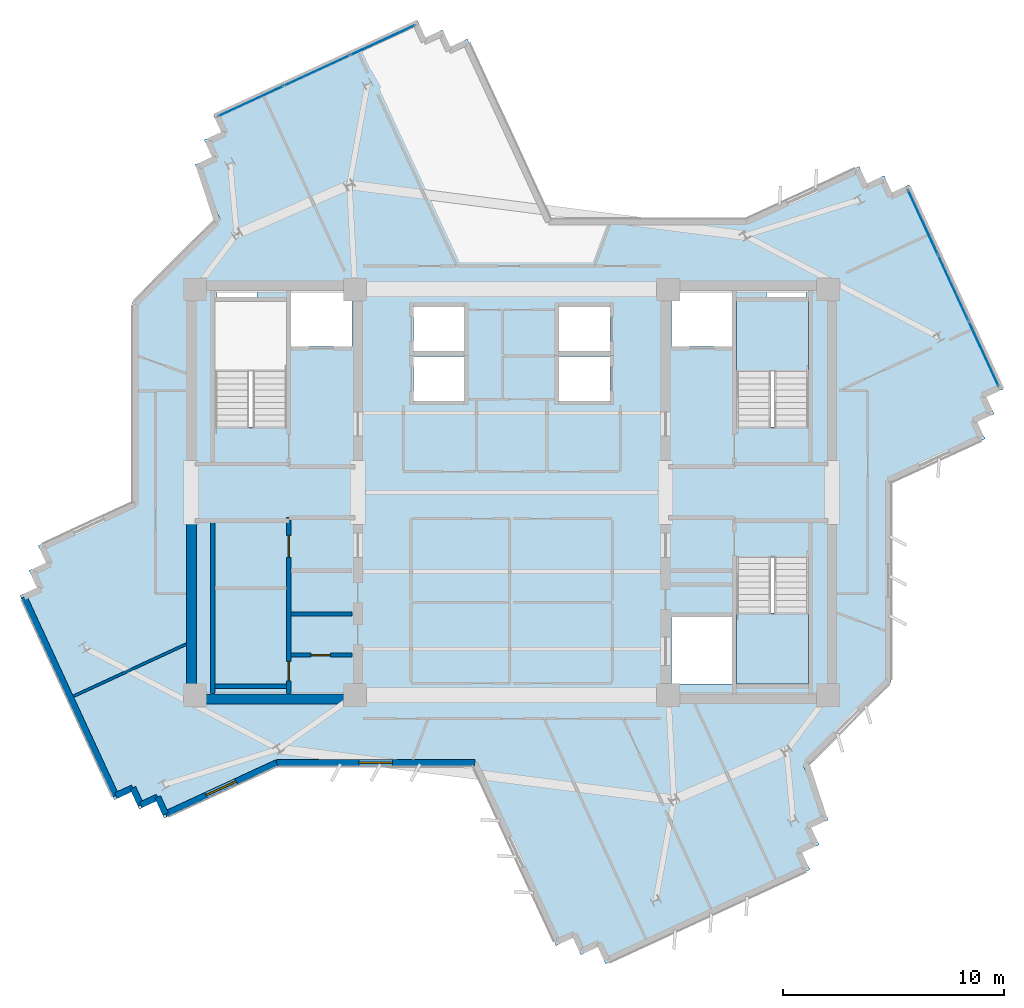
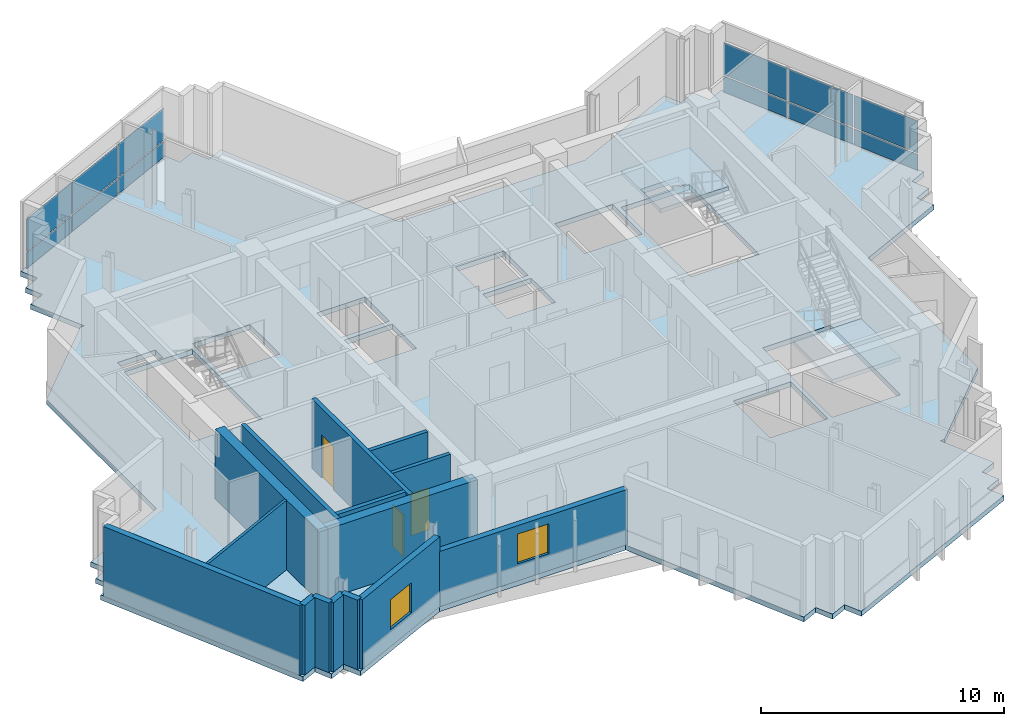
# One storey, part 4 of 12: 15 walls, 12 plates, 3 doors, 3 slabs, 2 windows, 5 openings, 4 elements without a shape of their own.
"""IFC4 building model written with IfcOpenShell, lengths in metres."""

import ifcopenshell
import ifcopenshell.guid

model = None  # the IFC model being written
_history = None  # IfcOwnerHistory: only IFC2X3 demands one
_inside = {}  # id of a spatial element -> (the spatial element, [elements in it])
_under = {}  # id of a project, library or spatial element -> (it, [spatial elements below it])
_declared = {}  # id of a project -> (the project, [libraries it declares])
_typed = {}  # id of a type object -> (the type object, [elements of that type])
_made_of = {}  # id of a material, layer set ... -> (it, [elements and type objects made of it])


def new_model(schema):
    """Start an empty IFC model of exactly this schema.

    Asked for "IFC4X3", IfcOpenShell would pick the latest addendum, in which some entities
    have other attributes; the version numbers below select the first issue.
    IFC2X3 requires an IfcOwnerHistory on every rooted entity: one is made here for all.
    """
    global model, _history
    if schema == "IFC4X3":
        model = ifcopenshell.file(schema_version=(4, 3, 0, 0))
    else:
        model = ifcopenshell.file(schema=schema)
    _inside.clear()
    _under.clear()
    _declared.clear()
    _typed.clear()
    _made_of.clear()
    _history = None
    if model.schema == "IFC2X3":
        org = make("IfcOrganization", Name="unknown")
        user = make(
            "IfcPersonAndOrganization",
            ThePerson=make("IfcPerson", FamilyName="unknown"),
            TheOrganization=org,
        )
        app = make(
            "IfcApplication",
            ApplicationDeveloper=org,
            Version="unknown",
            ApplicationFullName="unknown",
            ApplicationIdentifier="unknown",
        )
        _history = make(
            "IfcOwnerHistory",
            OwningUser=user,
            OwningApplication=app,
            ChangeAction="ADDED",
            CreationDate=0,
        )
    return model


def make(cls, **values):
    """One entity of the class cls with the attributes given. An attribute that is None is left unset."""
    return model.create_entity(
        cls, **{name: value for name, value in values.items() if value is not None}
    )


def rooted(cls, **values):
    """An entity with a GlobalId (a new one), such as an element, a storey or a relation."""
    return make(cls, GlobalId=ifcopenshell.guid.new(), OwnerHistory=_history, **values)


def si_unit(unit_type, name, prefix=None):
    """IfcSIUnit, for example si_unit("LENGTHUNIT", "METRE", prefix="MILLI")."""
    return make("IfcSIUnit", UnitType=unit_type, Prefix=prefix, Name=name)


def assignment(units):
    """IfcUnitAssignment: the units of a project."""
    return None if units is None else make("IfcUnitAssignment", Units=units)


def point(xyz):
    """IfcCartesianPoint."""
    return None if xyz is None else make("IfcCartesianPoint", Coordinates=xyz)


def direction(xyz):
    """IfcDirection."""
    return None if xyz is None else make("IfcDirection", DirectionRatios=xyz)


def frame(location, z_axis=None, x_axis=None):
    """IfcAxis2Placement3D, a coordinate frame: its origin and axes. An axis left out is left unset."""
    return make(
        "IfcAxis2Placement3D",
        Location=point(location),
        Axis=direction(z_axis),
        RefDirection=direction(x_axis),
    )


def frame_2d(location, x_axis=None):
    """IfcAxis2Placement2D, a coordinate frame in the plane: its origin and x axis."""
    return make(
        "IfcAxis2Placement2D", Location=point(location), RefDirection=direction(x_axis)
    )


def origin():
    """The frame at (0, 0, 0) with its axes left unset."""
    return frame((0.0, 0.0, 0.0))


def origin_2d():
    """The frame at (0, 0) in the plane with its x axis left unset."""
    return frame_2d((0.0, 0.0))


def place(relative_to, where):
    """IfcLocalPlacement: puts the frame where relative to a parent placement (None: the world)."""
    return make(
        "IfcLocalPlacement", PlacementRelTo=relative_to, RelativePlacement=where
    )


def context(
    kind, dimensions, precision=None, world=None, true_north=None, identifier=None
):
    """IfcGeometricRepresentationContext, for example the 3D "Model" context."""
    return make(
        "IfcGeometricRepresentationContext",
        ContextIdentifier=identifier,
        ContextType=kind,
        CoordinateSpaceDimension=dimensions,
        Precision=precision,
        WorldCoordinateSystem=world,
        TrueNorth=true_north,
    )


def subcontext(parent, identifier, kind, view, scale=None):
    """IfcGeometricRepresentationSubContext, for example "Body" below "Model"."""
    return make(
        "IfcGeometricRepresentationSubContext",
        ContextIdentifier=identifier,
        ContextType=kind,
        ParentContext=parent,
        TargetScale=scale,
        TargetView=view,
    )


def project(units=None, contexts=None):
    """IfcProject with its units and contexts."""
    return rooted(
        "IfcProject",
        Name="project",
        RepresentationContexts=contexts,
        UnitsInContext=assignment(units),
    )


def spatial(cls, under=None, at=None, **own):
    """A site, building, storey or space (cls), placed at a placement, below another one or the project."""
    s = rooted(cls, ObjectPlacement=at, **own)
    if under is not None:
        _under.setdefault(under.id(), (under, []))[1].append(s)
    return s


def polyline(points):
    """IfcPolyline through the points."""
    return make("IfcPolyline", Points=[point(p) for p in points])


def profile(cls, at=None, kind="AREA", **sizes):
    """A parametric profile (cls). Its sizes go by their IFC names, for example OverallWidth=200.0."""
    return make(cls, ProfileType=kind, Position=at, **sizes)


def rectangle(**sizes):
    """IfcRectangleProfileDef."""
    return profile("IfcRectangleProfileDef", **sizes)


def outline(outer, holes=None, kind="AREA"):
    """IfcArbitraryClosedProfileDef: a profile drawn as a closed curve; with holes, ...WithVoids."""
    if holes is None:
        return make("IfcArbitraryClosedProfileDef", ProfileType=kind, OuterCurve=outer)
    return make(
        "IfcArbitraryProfileDefWithVoids",
        ProfileType=kind,
        OuterCurve=outer,
        InnerCurves=holes,
    )


def extrude(swept, where, along, depth):
    """IfcExtrudedAreaSolid: the profile swept, set in the frame where, extruded along a direction by depth."""
    return make(
        "IfcExtrudedAreaSolid",
        SweptArea=swept,
        Position=where,
        ExtrudedDirection=direction(along),
        Depth=depth,
    )


def shape(context_of_items, identifier, shape_type, items):
    """IfcShapeRepresentation: the items that make up one representation, for example the "Body"."""
    return make(
        "IfcShapeRepresentation",
        ContextOfItems=context_of_items,
        RepresentationIdentifier=identifier,
        RepresentationType=shape_type,
        Items=items,
    )


def source(mapping_origin, context_of_items, identifier, shape_type, items):
    """IfcRepresentationMap: a shape defined once, which mapped items show again and again."""
    return make(
        "IfcRepresentationMap",
        MappingOrigin=mapping_origin,
        MappedRepresentation=shape(context_of_items, identifier, shape_type, items),
    )


def transform(
    local_origin,
    x_axis=None,
    y_axis=None,
    z_axis=None,
    scale=None,
    scale2=None,
    scale3=None,
    uniform=True,
):
    """IfcCartesianTransformationOperator3D, or its non-uniform kind. x_axis, y_axis, z_axis: its Axis1, 2, 3."""
    if uniform:
        return make(
            "IfcCartesianTransformationOperator3D",
            Axis1=direction(x_axis),
            Axis2=direction(y_axis),
            LocalOrigin=point(local_origin),
            Scale=scale,
            Axis3=direction(z_axis),
        )
    return make(
        "IfcCartesianTransformationOperator3DnonUniform",
        Axis1=direction(x_axis),
        Axis2=direction(y_axis),
        LocalOrigin=point(local_origin),
        Scale=scale,
        Axis3=direction(z_axis),
        Scale2=scale2,
        Scale3=scale3,
    )


def mapped(mapping_source, mapping_target):
    """IfcMappedItem: shows the shape of a source again, moved by a transform."""
    return make(
        "IfcMappedItem", MappingSource=mapping_source, MappingTarget=mapping_target
    )


def material(Name=None, Category=None):
    """IfcMaterial."""
    return make("IfcMaterial", Name=Name, Category=Category)


def layer(
    of_material, thickness, ventilated=None, Name=None, Category=None, Priority=None
):
    """IfcMaterialLayer: one layer of a wall or slab, of a material (None: an air gap)."""
    return make(
        "IfcMaterialLayer",
        Material=of_material,
        LayerThickness=thickness,
        IsVentilated=ventilated,
        Name=Name,
        Category=Category,
        Priority=Priority,
    )


def layer_set(layers, Name=None):
    """IfcMaterialLayerSet."""
    return make("IfcMaterialLayerSet", MaterialLayers=layers, LayerSetName=Name)


def made_of(thing, what):
    """Note that an element or type object is made of a material, layer set ...; save() writes the relation."""
    if what is not None:
        _made_of.setdefault(what.id(), (what, []))[1].append(thing)
    return thing


def type_object(cls, material=None, **own):
    """A type object (cls), such as IfcWallType, which elements share."""
    return made_of(rooted(cls, **own), material)


def element(
    cls,
    number,
    at=None,
    inside=None,
    cuts=None,
    type_object=None,
    material=None,
    context=None,
    identifier="Body",
    shape_type=None,
    held_by="IfcProductDefinitionShape",
    body=None,
    shapes=None,
    **own,
):
    """One element of the class cls, such as IfcWall. Its Tag is "e" and its number.

    at: its placement. inside: the storey or other place that contains it. cuts: it is an
    opening in that element (IfcRelVoidsElement). A single representation is given by context,
    identifier, shape_type and body (its items); several are given by shapes. held_by: the class
    of the entity that holds the representations. save() writes the other relations.
    """
    e = rooted(cls, Tag="e%d" % number, ObjectPlacement=at, **own)
    if body is not None:
        shapes = [shape(context, identifier, shape_type, body)]
    if shapes is not None:
        e.Representation = make(held_by, Representations=shapes)
    if inside is not None:
        _inside.setdefault(inside.id(), (inside, []))[1].append(e)
    if cuts is not None:
        rooted(
            "IfcRelVoidsElement", RelatingBuildingElement=cuts, RelatedOpeningElement=e
        )
    if type_object is not None:
        _typed.setdefault(type_object.id(), (type_object, []))[1].append(e)
    return made_of(e, material)


def fill(opening, filler):
    """IfcRelFillsElement: the door or window that sits in an opening."""
    return rooted(
        "IfcRelFillsElement",
        RelatingOpeningElement=opening,
        RelatedBuildingElement=filler,
    )


def aggregate(whole, parts):
    """IfcRelAggregates: a whole, such as a stair, and the parts it consists of."""
    return rooted("IfcRelAggregates", RelatingObject=whole, RelatedObjects=parts)


def save(model, path):
    """Write the relations noted so far, then the file.

    IfcRelAggregates (storeys below a building ...), IfcRelContainedInSpatialStructure (elements
    in a storey), IfcRelDefinesByType, IfcRelAssociatesMaterial and IfcRelDeclares: one each for
    every whole, place, type object, material and project.
    """
    for whole, parts in _under.values():
        aggregate(whole, parts)
    for where, things in _inside.values():
        rooted(
            "IfcRelContainedInSpatialStructure",
            RelatedElements=things,
            RelatingStructure=where,
        )
    for kind, things in _typed.values():
        rooted("IfcRelDefinesByType", RelatedObjects=things, RelatingType=kind)
    for what, things in _made_of.values():
        rooted("IfcRelAssociatesMaterial", RelatedObjects=things, RelatingMaterial=what)
    for by, libraries in _declared.values():
        rooted("IfcRelDeclares", RelatingContext=by, RelatedDefinitions=libraries)
    model.write(path)


model = new_model("IFC4")

# Units and contexts
model_context = context("Model", 3, precision=1e-05, world=origin(), true_north=direction((0.0, 1.0)))
body_context = subcontext(model_context, "Body", "Model", "MODEL_VIEW")
ifc_project = project(units=[si_unit("LENGTHUNIT", "METRE"), si_unit("AREAUNIT", "SQUARE_METRE"), si_unit("VOLUMEUNIT", "CUBIC_METRE"), si_unit("PLANEANGLEUNIT", "RADIAN"), si_unit("MASSUNIT", "GRAM", prefix="KILO")], contexts=[model_context])

# Site, building, storey
site_placement = place(None, origin())
site = spatial("IfcSite", under=ifc_project, at=site_placement, CompositionType="ELEMENT")
building_placement = place(site_placement, origin())
building = spatial("IfcBuilding", under=site, at=building_placement, Name="Zahravan Cultural Tower", CompositionType="ELEMENT")
storey_placement = place(building_placement, frame((0.0, 0.0, 246.60009765625)))
storey = spatial("IfcBuildingStorey", under=building, at=storey_placement, Name="L58", CompositionType="ELEMENT", Elevation=246.60009765625)

# Stair, slab
ifc_material_1 = material(Name="Concrete C45/55", Category="concrete")
stair_type = type_object("IfcStairType", Name="STR-DL-1550-375", PredefinedType="HALF_TURN_STAIR", material=ifc_material_1)
stair_1_placement = place(storey_placement, origin())
stair_1 = element("IfcStair", 1, at=stair_1_placement, inside=storey, type_object=stair_type, Name="L58 East Core North Exit Stair ST-E1", PredefinedType="HALF_TURN_STAIR")
ifc_layer_1 = layer(ifc_material_1, 0.199951171875)
ifc_layer_set_1 = layer_set([ifc_layer_1], Name="Concrete C45/55")
slab_type_1 = type_object("IfcSlabType", Name="SL-STAIR-LND200", PredefinedType="LANDING", material=ifc_layer_set_1)
slab_1_placement = place(storey_placement, frame((0.0, 0.0, 1.6748046875)))
slab_1 = element("IfcSlab", 2, at=slab_1_placement, type_object=slab_type_1, Name="ST-E1 landing 1", PredefinedType="LANDING", context=body_context, shape_type="SweptSolid", body=[
    extrude(outline(polyline([(49.449951171875, 32.469970703125), (49.449951171875, 35.699951171875), (46.199951171875, 35.699951171875), (46.199951171875, 32.469970703125), (49.449951171875, 32.469970703125)])), origin(), (0.0, 0.0, 1.0), 0.2001953125),
])
aggregate(stair_1, [slab_1])

stair_2_placement = place(storey_placement, origin())
stair_2 = element("IfcStair", 3, at=stair_2_placement, inside=storey, type_object=stair_type, Name="L58 East Core South Exit Stair ST-E2", PredefinedType="HALF_TURN_STAIR")
slab_2_placement = place(storey_placement, frame((0.0, 0.0, 1.6748046875)))
slab_2 = element("IfcSlab", 4, at=slab_2_placement, type_object=slab_type_1, Name="ST-E2 landing 1", PredefinedType="LANDING", context=body_context, shape_type="SweptSolid", body=[
    extrude(outline(polyline([(46.199951171875, 21.530029296875), (46.199951171875, 18.300048828125), (49.449951171875, 18.300048828125), (49.449951171875, 21.530029296875), (46.199951171875, 21.530029296875)])), origin(), (0.0, 0.0, 1.0), 0.2001953125),
])
aggregate(stair_2, [slab_2])

# Slab
ifc_material_2 = material(Name="Concrete C40/50", Category="concrete")
ifc_layer_2 = layer(ifc_material_2, 0.25)
ifc_layer_set_2 = layer_set([ifc_layer_2], Name="Concrete C40/50")
slab_type_2 = type_object("IfcSlabType", Name="SL-TYP-250", PredefinedType="FLOOR", material=ifc_layer_set_2)
slab_3_placement = place(storey_placement, frame((0.0, 0.0, -0.25)))
element("IfcSlab", 5, at=slab_3_placement, inside=storey, type_object=slab_type_2, Name="L58 Structural Floor Slab", PredefinedType="FLOOR", context=body_context, shape_type="SweptSolid", body=[
    extrude(outline(polyline([(46.62451171875, 39.39990234375), (37.76123046875, 39.39990234375), (33.99365234375, 47.553955078125), (33.221923828125, 47.197509765625), (32.865478515625, 47.968994140625), (32.09375, 47.612548828125), (31.7373046875, 48.384033203125), (22.47802734375, 44.105712890625), (22.83447265625, 43.333984375), (22.06298828125, 42.9775390625), (22.41943359375, 42.205810546875), (21.647705078125, 41.849365234375), (22.779541015625, 39.39990234375), (22.60009765625, 39.39990234375), (18.800048828125, 35.60009765625), (18.800048828125, 26.543212890625), (14.538330078125, 24.57421875), (14.894775390625, 23.802490234375), (14.123291015625, 23.446044921875), (14.479736328125, 22.67431640625), (13.7080078125, 22.31787109375), (17.986572265625, 13.05859375), (18.75830078125, 13.4150390625), (19.11474609375, 12.643310546875), (19.88623046875, 13.0), (20.242919921875, 12.228271484375), (25.37548828125, 14.60009765625), (34.23876953125, 14.60009765625), (38.00634765625, 6.446044921875), (38.778076171875, 6.802490234375), (39.134521484375, 6.031005859375), (39.90625, 6.387451171875), (40.2626953125, 5.615966796875), (49.52197265625, 9.894287109375), (49.16552734375, 10.666015625), (49.93701171875, 11.0224609375), (49.58056640625, 11.794189453125), (50.352294921875, 12.150634765625), (49.220458984375, 14.60009765625), (49.39990234375, 14.60009765625), (53.199951171875, 18.39990234375), (53.199951171875, 27.456787109375), (57.461669921875, 29.42578125), (57.105224609375, 30.197509765625), (57.876708984375, 30.553955078125), (57.520263671875, 31.32568359375), (58.2919921875, 31.68212890625), (54.013427734375, 40.94140625), (53.24169921875, 40.5849609375), (52.88525390625, 41.356689453125), (52.11376953125, 41.0), (51.757080078125, 41.771728515625), (46.62451171875, 39.39990234375)]), holes=[polyline([(22.550048828125, 29.949951171875), (22.550048828125, 35.699951171875), (25.800048828125, 35.699951171875), (25.800048828125, 29.949951171875), (22.550048828125, 29.949951171875)]), polyline([(46.199951171875, 29.949951171875), (46.199951171875, 35.699951171875), (49.449951171875, 35.699951171875), (49.449951171875, 29.949951171875), (46.199951171875, 29.949951171875)]), polyline([(46.199951171875, 18.300048828125), (46.199951171875, 24.050048828125), (49.449951171875, 24.050048828125), (49.449951171875, 18.300048828125), (46.199951171875, 18.300048828125)]), polyline([(26.0, 33.60009765625), (26.0, 36.050048828125), (28.75, 36.050048828125), (28.75, 33.60009765625), (26.0, 33.60009765625)]), polyline([(43.25, 33.60009765625), (43.25, 36.050048828125), (46.0, 36.050048828125), (46.0, 33.60009765625), (43.25, 33.60009765625)]), polyline([(43.25, 18.300048828125), (43.25, 21.35009765625), (46.0, 21.35009765625), (46.0, 18.300048828125), (43.25, 18.300048828125)]), polyline([(31.550048828125, 33.39990234375), (31.550048828125, 35.39990234375), (33.85009765625, 35.39990234375), (33.85009765625, 33.39990234375), (31.550048828125, 33.39990234375)]), polyline([(31.550048828125, 31.14990234375), (31.550048828125, 33.14990234375), (33.85009765625, 33.14990234375), (33.85009765625, 31.14990234375), (31.550048828125, 31.14990234375)]), polyline([(38.14990234375, 33.39990234375), (38.14990234375, 35.39990234375), (40.449951171875, 35.39990234375), (40.449951171875, 33.39990234375), (38.14990234375, 33.39990234375)]), polyline([(38.14990234375, 31.14990234375), (38.14990234375, 33.14990234375), (40.449951171875, 33.14990234375), (40.449951171875, 31.14990234375), (38.14990234375, 31.14990234375)]), polyline([(22.64990234375, 35.800048828125), (22.64990234375, 36.419921875), (24.449951171875, 36.419921875), (24.449951171875, 35.800048828125), (22.64990234375, 35.800048828125)]), polyline([(47.550048828125, 35.800048828125), (47.550048828125, 36.419921875), (49.35009765625, 36.419921875), (49.35009765625, 35.800048828125), (47.550048828125, 35.800048828125)])]), origin(), (0.0, 0.0, 1.0), 0.25),
])

# Curtain wall, plates
ifc_material_3 = material(Name="Anodised bronze-aluminium mullion", Category="aluminium")
ifc_layer_3 = layer(ifc_material_3, 0.179931640625)
ifc_layer_set_3 = layer_set([ifc_layer_3], Name="Anodised bronze-aluminium mullion")
curtain_wall_type_1 = type_object("IfcCurtainWallType", Name="CW-SYS-3", PredefinedType="USERDEFINED", material=ifc_layer_set_3)
curtain_wall_1_placement = place(storey_placement, origin())
curtain_wall_1 = element("IfcCurtainWall", 6, at=curtain_wall_1_placement, inside=storey, type_object=curtain_wall_type_1, Name="L58 Recessed Curtain Wall CW-3.1", ObjectType="RECESSED GLAZING", PredefinedType="USERDEFINED")
ifc_material_4 = material(Name="Low-E solar-control double glazing", Category="glass")
ifc_layer_4 = layer(ifc_material_4, 0.028076171875)
ifc_layer_set_4 = layer_set([ifc_layer_4], Name="Low-E solar-control double glazing")
plate_type_1 = type_object("IfcPlateType", Name="CWP-CW-3", PredefinedType="CURTAIN_PANEL", material=ifc_layer_set_4)
shared_shape_1 = source(origin(), body_context, "Body", "SweptSolid", [
    extrude(rectangle(XDim=3.20166015625, YDim=0.028076171875, at=origin_2d()), origin(), (0.0, 0.0, 1.0), 0.794921875),
])
plate_1_placement = place(storey_placement, frame((54.64599609375, 39.239013671875, 0.06982421875), z_axis=(0.0, 0.0, 1.0), x_axis=(0.419457036846, -0.907775189262, 0.0)))
plate_1 = element("IfcPlate", 7, at=plate_1_placement, type_object=plate_type_1, Name="CW-3 panel 1.1", PredefinedType="CURTAIN_PANEL", context=body_context, shape_type="MappedRepresentation", body=[
    mapped(shared_shape_1, transform((0.0, 0.0, 0.0), x_axis=(1.0, 0.0, 0.0), y_axis=(0.0, 1.0, 0.0), z_axis=(0.0, 0.0, 1.0), scale=1.0)),
])
plate_2_placement = place(storey_placement, frame((57.4052734375, 33.267333984375, 0.06982421875), z_axis=(0.0, 0.0, 1.0), x_axis=(0.419457036846, -0.907775189262, 0.0)))
plate_2 = element("IfcPlate", 8, at=plate_2_placement, type_object=plate_type_1, Name="CW-3 panel 3.1", PredefinedType="CURTAIN_PANEL", context=body_context, shape_type="MappedRepresentation", body=[
    mapped(shared_shape_1, transform((0.0, 0.0, 0.0), x_axis=(1.0, 0.0, 0.0), y_axis=(0.0, 1.0, 0.0), z_axis=(0.0, 0.0, 1.0), scale=1.0)),
])
shared_shape_2 = source(origin(), body_context, "Body", "SweptSolid", [
    extrude(rectangle(XDim=3.236572265625, YDim=0.028076171875, at=origin_2d()), origin(), (0.0, 0.0, 1.0), 0.794921875),
])
plate_3_placement = place(storey_placement, frame((56.025634765625, 36.253173828125, 0.06982421875), z_axis=(0.0, 0.0, 1.0), x_axis=(0.419457036846, -0.907775189262, 0.0)))
plate_3 = element("IfcPlate", 9, at=plate_3_placement, type_object=plate_type_1, Name="CW-3 panel 2.1", PredefinedType="CURTAIN_PANEL", context=body_context, shape_type="MappedRepresentation", body=[
    mapped(shared_shape_2, transform((0.0, 0.0, 0.0), x_axis=(1.0, 0.0, 0.0), y_axis=(0.0, 1.0, 0.0), z_axis=(0.0, 0.0, 1.0), scale=1.0)),
])

ifc_layer_5 = layer(ifc_material_3, 0.1650390625)
ifc_layer_set_5 = layer_set([ifc_layer_5], Name="Anodised bronze-aluminium mullion")
curtain_wall_type_2 = type_object("IfcCurtainWallType", Name="CW-SYS-4", PredefinedType="USERDEFINED", material=ifc_layer_set_5)
curtain_wall_2_placement = place(storey_placement, origin())
curtain_wall_2 = element("IfcCurtainWall", 10, at=curtain_wall_2_placement, inside=storey, type_object=curtain_wall_type_2, Name="L58 Recessed Curtain Wall CW-4.2", ObjectType="RECESSED GLAZING", PredefinedType="USERDEFINED")
ifc_layer_6 = layer(ifc_material_4, 0.02587890625)
ifc_layer_set_6 = layer_set([ifc_layer_6], Name="Low-E solar-control double glazing")
plate_type_2 = type_object("IfcPlateType", Name="CWP-CW-4", PredefinedType="CURTAIN_PANEL", material=ifc_layer_set_6)
shared_shape_3 = source(origin(), body_context, "Body", "SweptSolid", [
    extrude(rectangle(XDim=3.209228515625, YDim=0.02587890625, at=origin_2d()), origin(), (0.0, 0.0, 1.0), 0.802490234375),
])
plate_4_placement = place(storey_placement, frame((24.179443359375, 44.737548828125, 0.06494140625), z_axis=(0.0, 0.0, 1.0), x_axis=(0.907775189262, 0.419457036846, 0.0)))
plate_4 = element("IfcPlate", 11, at=plate_4_placement, type_object=plate_type_2, Name="CW-4 panel 1.1", PredefinedType="CURTAIN_PANEL", context=body_context, shape_type="MappedRepresentation", body=[
    mapped(shared_shape_3, transform((0.0, 0.0, 0.0), x_axis=(1.0, 0.0, 0.0), y_axis=(0.0, 1.0, 0.0), z_axis=(0.0, 0.0, 1.0), scale=1.0)),
])
plate_5_placement = place(storey_placement, frame((30.1533203125, 47.498046875, 0.06494140625), z_axis=(0.0, 0.0, 1.0), x_axis=(0.907775189262, 0.419457036846, 0.0)))
plate_5 = element("IfcPlate", 12, at=plate_5_placement, type_object=plate_type_2, Name="CW-4 panel 3.1", PredefinedType="CURTAIN_PANEL", context=body_context, shape_type="MappedRepresentation", body=[
    mapped(shared_shape_3, transform((0.0, 0.0, 0.0), x_axis=(1.0, 0.0, 0.0), y_axis=(0.0, 1.0, 0.0), z_axis=(0.0, 0.0, 1.0), scale=1.0)),
])
shared_shape_4 = source(origin(), body_context, "Body", "SweptSolid", [
    extrude(rectangle(XDim=3.24169921875, YDim=0.02587890625, at=origin_2d()), origin(), (0.0, 0.0, 1.0), 0.802490234375),
])
plate_6_placement = place(storey_placement, frame((27.166259765625, 46.117919921875, 0.06494140625), z_axis=(0.0, 0.0, 1.0), x_axis=(0.907775189262, 0.419457036846, 0.0)))
plate_6 = element("IfcPlate", 13, at=plate_6_placement, type_object=plate_type_2, Name="CW-4 panel 2.1", PredefinedType="CURTAIN_PANEL", context=body_context, shape_type="MappedRepresentation", body=[
    mapped(shared_shape_4, transform((0.0, 0.0, 0.0), x_axis=(1.0, 0.0, 0.0), y_axis=(0.0, 1.0, 0.0), z_axis=(0.0, 0.0, 1.0), scale=1.0)),
])

# Plate
shared_shape_5 = source(origin(), body_context, "Body", "SweptSolid", [
    extrude(rectangle(XDim=3.20166015625, YDim=0.028076171875, at=origin_2d()), origin(), (0.0, 0.0, 1.0), 1.614990234375),
])
plate_7_placement = place(storey_placement, frame((54.64599609375, 39.239013671875, 0.93505859375), z_axis=(0.0, 0.0, 1.0), x_axis=(0.419457036846, -0.907775189262, 0.0)))
plate_7 = element("IfcPlate", 14, at=plate_7_placement, type_object=plate_type_1, Name="CW-3 panel 1.2", PredefinedType="CURTAIN_PANEL", context=body_context, shape_type="MappedRepresentation", body=[
    mapped(shared_shape_5, transform((0.0, 0.0, 0.0), x_axis=(1.0, 0.0, 0.0), y_axis=(0.0, 1.0, 0.0), z_axis=(0.0, 0.0, 1.0), scale=1.0)),
])

plate_8_placement = place(storey_placement, frame((57.4052734375, 33.267333984375, 0.93505859375), z_axis=(0.0, 0.0, 1.0), x_axis=(0.419457036846, -0.907775189262, 0.0)))
plate_8 = element("IfcPlate", 15, at=plate_8_placement, type_object=plate_type_1, Name="CW-3 panel 3.2", PredefinedType="CURTAIN_PANEL", context=body_context, shape_type="MappedRepresentation", body=[
    mapped(shared_shape_5, transform((0.0, 0.0, 0.0), x_axis=(1.0, 0.0, 0.0), y_axis=(0.0, 1.0, 0.0), z_axis=(0.0, 0.0, 1.0), scale=1.0)),
])

shared_shape_6 = source(origin(), body_context, "Body", "SweptSolid", [
    extrude(rectangle(XDim=3.236572265625, YDim=0.028076171875, at=origin_2d()), origin(), (0.0, 0.0, 1.0), 1.614990234375),
])
plate_9_placement = place(storey_placement, frame((56.025634765625, 36.253173828125, 0.93505859375), z_axis=(0.0, 0.0, 1.0), x_axis=(0.419457036846, -0.907775189262, 0.0)))
plate_9 = element("IfcPlate", 16, at=plate_9_placement, type_object=plate_type_1, Name="CW-3 panel 2.2", PredefinedType="CURTAIN_PANEL", context=body_context, shape_type="MappedRepresentation", body=[
    mapped(shared_shape_6, transform((0.0, 0.0, 0.0), x_axis=(1.0, 0.0, 0.0), y_axis=(0.0, 1.0, 0.0), z_axis=(0.0, 0.0, 1.0), scale=1.0)),
])

aggregate(curtain_wall_1, [plate_1, plate_7, plate_3, plate_9, plate_2, plate_8])

shared_shape_7 = source(origin(), body_context, "Body", "SweptSolid", [
    extrude(rectangle(XDim=3.209228515625, YDim=0.02587890625, at=origin_2d()), origin(), (0.0, 0.0, 1.0), 1.62255859375),
])
plate_10_placement = place(storey_placement, frame((24.179443359375, 44.737548828125, 0.932373046875), z_axis=(0.0, 0.0, 1.0), x_axis=(0.907775189262, 0.419457036846, 0.0)))
plate_10 = element("IfcPlate", 17, at=plate_10_placement, type_object=plate_type_2, Name="CW-4 panel 1.2", PredefinedType="CURTAIN_PANEL", context=body_context, shape_type="MappedRepresentation", body=[
    mapped(shared_shape_7, transform((0.0, 0.0, 0.0), x_axis=(1.0, 0.0, 0.0), y_axis=(0.0, 1.0, 0.0), z_axis=(0.0, 0.0, 1.0), scale=1.0)),
])

plate_11_placement = place(storey_placement, frame((30.1533203125, 47.498046875, 0.932373046875), z_axis=(0.0, 0.0, 1.0), x_axis=(0.907775189262, 0.419457036846, 0.0)))
plate_11 = element("IfcPlate", 18, at=plate_11_placement, type_object=plate_type_2, Name="CW-4 panel 3.2", PredefinedType="CURTAIN_PANEL", context=body_context, shape_type="MappedRepresentation", body=[
    mapped(shared_shape_7, transform((0.0, 0.0, 0.0), x_axis=(1.0, 0.0, 0.0), y_axis=(0.0, 1.0, 0.0), z_axis=(0.0, 0.0, 1.0), scale=1.0)),
])

shared_shape_8 = source(origin(), body_context, "Body", "SweptSolid", [
    extrude(rectangle(XDim=3.24169921875, YDim=0.02587890625, at=origin_2d()), origin(), (0.0, 0.0, 1.0), 1.62255859375),
])
plate_12_placement = place(storey_placement, frame((27.166259765625, 46.117919921875, 0.932373046875), z_axis=(0.0, 0.0, 1.0), x_axis=(0.907775189262, 0.419457036846, 0.0)))
plate_12 = element("IfcPlate", 19, at=plate_12_placement, type_object=plate_type_2, Name="CW-4 panel 2.2", PredefinedType="CURTAIN_PANEL", context=body_context, shape_type="MappedRepresentation", body=[
    mapped(shared_shape_8, transform((0.0, 0.0, 0.0), x_axis=(1.0, 0.0, 0.0), y_axis=(0.0, 1.0, 0.0), z_axis=(0.0, 0.0, 1.0), scale=1.0)),
])

aggregate(curtain_wall_2, [plate_4, plate_10, plate_6, plate_12, plate_5, plate_11])

# Wall, opening, window
ifc_material_5 = material(Name="Precast concrete C40/50", Category="concrete")
ifc_layer_7 = layer(ifc_material_5, 0.280029296875)
ifc_layer_set_7 = layer_set([ifc_layer_7], Name="Precast concrete C40/50")
wall_type_1 = type_object("IfcWallType", Name="EW-TC-280", PredefinedType="SOLIDWALL", material=ifc_layer_set_7)
wall_1_placement = place(storey_placement, frame((34.328369140625, 14.739990234375, 0.0), z_axis=(0.0, 0.0, 1.0), x_axis=(-1.0, 0.0, 0.0)))
wall_1 = element("IfcWall", 20, at=wall_1_placement, inside=storey, type_object=wall_type_1, Name="L58 Exterior Masonry Frame Wall 24", PredefinedType="SOLIDWALL", context=body_context, shape_type="SweptSolid", body=[
    extrude(rectangle(XDim=8.983642578125, YDim=0.280029296875, at=frame_2d((4.49169921875, 0.0))), origin(), (0.0, 0.0, 1.0), 2.77197265625),
])
opening_1_placement = place(wall_1_placement, frame((3.741943359375, 0.0, 0.85009765625)))
opening_1 = element("IfcOpeningElement", 21, at=opening_1_placement, cuts=wall_1, Name="Opening WN-03", PredefinedType="OPENING", context=body_context, shape_type="SweptSolid", body=[
    extrude(rectangle(XDim=1.5, YDim=1.5, at=frame_2d((0.75, 0.75))), frame((0.0, 0.14990234375, 0.0), z_axis=(0.0, -1.0, 0.0), x_axis=(1.0, 0.0, 0.0)), (0.0, 0.0, 1.0), 0.300048828125),
])
window_type = type_object("IfcWindowType", Name="WN-REC-1500X1500", PartitioningType="SINGLE_PANEL", PredefinedType="WINDOW", material=ifc_material_4)
shared_shape_9 = source(origin(), body_context, "Body", "SweptSolid", [
    extrude(rectangle(XDim=1.5, YDim=1.5, at=frame_2d((0.75, 0.75))), frame((0.0, 0.030029296875, 0.0), z_axis=(0.0, -1.0, 0.0), x_axis=(1.0, 0.0, 0.0)), (0.0, 0.0, 1.0), 0.06005859375),
])
window_1_placement = place(opening_1_placement, origin())
window_1 = element("IfcWindow", 22, at=window_1_placement, inside=storey, type_object=window_type, Name="L58 Recessed Solar Window 06", OverallHeight=1.5, OverallWidth=1.5, PartitioningType="SINGLE_PANEL", PredefinedType="WINDOW", context=body_context, shape_type="MappedRepresentation", body=[
    mapped(shared_shape_9, transform((0.0, 0.0, 0.0), x_axis=(1.0, 0.0, 0.0), y_axis=(0.0, 1.0, 0.0), z_axis=(0.0, 0.0, 1.0), scale=1.0)),
])
fill(opening_1, window_1)

wall_2_placement = place(storey_placement, frame((25.3447265625, 14.739990234375, 0.0), z_axis=(0.0, 0.0, 1.0), x_axis=(-0.907767275269, -0.419474163627, 0.0)))
wall_2 = element("IfcWall", 23, at=wall_2_placement, inside=storey, type_object=wall_type_1, Name="L58 Exterior Masonry Frame Wall 25", PredefinedType="SOLIDWALL", context=body_context, shape_type="SweptSolid", body=[
    extrude(rectangle(XDim=5.544921875, YDim=0.280029296875, at=frame_2d((2.7724609375, 0.0))), origin(), (0.0, 0.0, 1.0), 3.5),
])
opening_2_placement = place(wall_2_placement, frame((2.02197265625, 0.0, 0.85009765625)))
opening_2 = element("IfcOpeningElement", 24, at=opening_2_placement, cuts=wall_2, Name="Opening WN-03", PredefinedType="OPENING", context=body_context, shape_type="SweptSolid", body=[
    extrude(rectangle(XDim=1.5, YDim=1.5, at=frame_2d((0.75, 0.75))), frame((0.0, 0.14990234375, 0.0), z_axis=(0.0, -1.0, 0.0), x_axis=(1.0, 0.0, 0.0)), (0.0, 0.0, 1.0), 0.300048828125),
])
window_2_placement = place(opening_2_placement, origin())
window_2 = element("IfcWindow", 25, at=window_2_placement, inside=storey, type_object=window_type, Name="L58 Recessed Solar Window 07", OverallHeight=1.5, OverallWidth=1.5, PartitioningType="SINGLE_PANEL", PredefinedType="WINDOW", context=body_context, shape_type="MappedRepresentation", body=[
    mapped(shared_shape_9, transform((0.0, 0.0, 0.0), x_axis=(1.0, 0.0, 0.0), y_axis=(0.0, 1.0, 0.0), z_axis=(0.0, 0.0, 1.0), scale=1.0)),
])
fill(opening_2, window_2)

# Wall, opening, door
ifc_material_6 = material(Name="Gypsum plasterboard partition")
ifc_layer_8 = layer(ifc_material_6, 0.179931640625)
ifc_layer_set_8 = layer_set([ifc_layer_8], Name="Gypsum plasterboard partition")
wall_type_2 = type_object("IfcWallType", Name="W-COMP-180", PredefinedType="PARTITIONING", material=ifc_layer_set_8)
wall_3_placement = place(storey_placement, frame((26.0, 19.6201171875, 0.0), z_axis=(0.0, 0.0, 1.0), x_axis=(1.0, 0.0, 0.0)))
wall_3 = element("IfcWall", 26, at=wall_3_placement, inside=storey, type_object=wall_type_2, Name="L58 Interior Wall 027", PredefinedType="PARTITIONING", context=body_context, shape_type="SweptSolid", body=[
    extrude(rectangle(XDim=2.75, YDim=0.179931640625, at=frame_2d((1.375, 0.0))), origin(), (0.0, 0.0, 1.0), 3.5),
])
opening_3_placement = place(wall_3_placement, frame((0.89990234375, 0.0, 0.0)))
opening_3 = element("IfcOpeningElement", 27, at=opening_3_placement, cuts=wall_3, Name="Opening D-L58-10", PredefinedType="OPENING", context=body_context, shape_type="SweptSolid", body=[
    extrude(rectangle(XDim=0.8798828125, YDim=2.10009765625, at=frame_2d((0.43994140625, 1.050048828125))), frame((0.0, 0.099853515625, 0.0), z_axis=(0.0, -1.0, 0.0), x_axis=(1.0, 0.0, 0.0)), (0.0, 0.0, 1.0), 0.199951171875),
])
ifc_material_7 = material(Name="Steel ASTM A572 Grade 50", Category="steel")
door_type_1 = type_object("IfcDoorType", Name="DR-SVC-880", OperationType="NOTDEFINED", PredefinedType="DOOR", material=ifc_material_7)
shared_shape_10 = source(origin(), body_context, "Body", "SweptSolid", [
    extrude(rectangle(XDim=0.8798828125, YDim=2.10009765625, at=frame_2d((0.43994140625, 1.050048828125))), frame((0.0, 0.02490234375, 0.0), z_axis=(0.0, -1.0, 0.0), x_axis=(1.0, 0.0, 0.0)), (0.0, 0.0, 1.0), 0.050048828125),
])
door_1_placement = place(opening_3_placement, origin())
door_1 = element("IfcDoor", 28, at=door_1_placement, inside=storey, type_object=door_type_1, Name="L58 Door D-L58-10", OperationType="SINGLE_SWING_LEFT", OverallHeight=2.10009765625, OverallWidth=0.8798828125, PredefinedType="DOOR", context=body_context, shape_type="MappedRepresentation", body=[
    mapped(shared_shape_10, transform((0.0, 0.0, 0.0), x_axis=(1.0, 0.0, 0.0), y_axis=(0.0, 1.0, 0.0), z_axis=(0.0, 0.0, 1.0), scale=1.0)),
])
fill(opening_3, door_1)

# Wall, openings, doors
ifc_layer_9 = layer(ifc_material_1, 0.199951171875)
ifc_layer_set_9 = layer_set([ifc_layer_9], Name="Concrete C45/55")
wall_type_3 = type_object("IfcWallType", Name="W-SHAFT-200", PredefinedType="SOLIDWALL", material=ifc_layer_set_9)
wall_4_placement = place(storey_placement, frame((25.89990234375, 17.85009765625, 0.0), z_axis=(0.0, 0.0, 1.0), x_axis=(0.0, 1.0, 0.0)))
wall_4 = element("IfcWall", 29, at=wall_4_placement, inside=storey, type_object=wall_type_3, Name="L58 Interior Wall 005", PredefinedType="SOLIDWALL", context=body_context, shape_type="SweptSolid", body=[
    extrude(rectangle(XDim=8.0, YDim=0.199951171875, at=frame_2d((4.0, 0.0))), origin(), (0.0, 0.0, 1.0), 3.5),
])
opening_4_placement = place(wall_4_placement, frame((6.199951171875, 0.0, 0.0)))
opening_4 = element("IfcOpeningElement", 30, at=opening_4_placement, cuts=wall_4, Name="Opening D-L58-04", PredefinedType="OPENING", context=body_context, shape_type="SweptSolid", body=[
    extrude(rectangle(XDim=1.0, YDim=2.14990234375, at=frame_2d((0.5, 1.074951171875))), frame((0.0, 0.10986328125, 0.0), z_axis=(0.0, -1.0, 0.0), x_axis=(1.0, 0.0, 0.0)), (0.0, 0.0, 1.0), 0.219970703125),
])
opening_5_placement = place(wall_4_placement, frame((0.60009765625, 0.0, 0.0)))
opening_5 = element("IfcOpeningElement", 31, at=opening_5_placement, cuts=wall_4, Name="Opening D-L58-05", PredefinedType="OPENING", context=body_context, shape_type="SweptSolid", body=[
    extrude(rectangle(XDim=0.8798828125, YDim=2.10009765625, at=frame_2d((0.43994140625, 1.050048828125))), frame((0.0, 0.10986328125, 0.0), z_axis=(0.0, -1.0, 0.0), x_axis=(1.0, 0.0, 0.0)), (0.0, 0.0, 1.0), 0.219970703125),
])
door_2_placement = place(opening_5_placement, origin())
door_2 = element("IfcDoor", 32, at=door_2_placement, inside=storey, type_object=door_type_1, Name="L58 Door D-L58-05", OperationType="SINGLE_SWING_RIGHT", OverallHeight=2.10009765625, OverallWidth=0.8798828125, PredefinedType="DOOR", context=body_context, shape_type="MappedRepresentation", body=[
    mapped(shared_shape_10, transform((0.0, 0.0, 0.0), x_axis=(1.0, 0.0, 0.0), y_axis=(0.0, 1.0, 0.0), z_axis=(0.0, 0.0, 1.0), scale=1.0)),
])
fill(opening_5, door_2)
door_type_2 = type_object("IfcDoorType", Name="DR-COMP-1000", OperationType="NOTDEFINED", PredefinedType="DOOR", material=ifc_material_7)
shared_shape_11 = source(origin(), body_context, "Body", "SweptSolid", [
    extrude(rectangle(XDim=1.0, YDim=2.14990234375, at=frame_2d((0.5, 1.074951171875))), frame((0.0, 0.02490234375, 0.0), z_axis=(0.0, -1.0, 0.0), x_axis=(1.0, 0.0, 0.0)), (0.0, 0.0, 1.0), 0.050048828125),
])
door_3_placement = place(opening_4_placement, origin())
door_3 = element("IfcDoor", 33, at=door_3_placement, inside=storey, type_object=door_type_2, Name="L58 Door D-L58-04", OperationType="SINGLE_SWING_LEFT", OverallHeight=2.14990234375, OverallWidth=1.0, PredefinedType="DOOR", context=body_context, shape_type="MappedRepresentation", body=[
    mapped(shared_shape_11, transform((0.0, 0.0, 0.0), x_axis=(1.0, 0.0, 0.0), y_axis=(0.0, 1.0, 0.0), z_axis=(0.0, 0.0, 1.0), scale=1.0)),
])
fill(opening_4, door_3)

# Walls
ifc_material_8 = material(Name="Concrete C50/60", Category="concrete")
ifc_layer_10 = layer(ifc_material_8, 0.449951171875)
ifc_layer_set_10 = layer_set([ifc_layer_10], Name="Concrete C50/60")
wall_type_4 = type_object("IfcWallType", Name="CW-SHEAR-450-C50", PredefinedType="SHEAR", material=ifc_layer_set_10)
shared_shape_12 = source(origin(), body_context, "Body", "SweptSolid", [
    extrude(rectangle(XDim=8.550048828125, YDim=0.449951171875, at=frame_2d((4.27490234375, 0.0))), origin(), (0.0, 0.0, 1.0), 3.5),
])
wall_5_placement = place(storey_placement, frame((21.47509765625, 17.39990234375, 0.0), z_axis=(0.0, 0.0, 1.0), x_axis=(0.0, 1.0, 0.0)))
element("IfcWall", 34, at=wall_5_placement, inside=storey, type_object=wall_type_4, Name="L58 Core Shear Wall CW-W-WS-L58", PredefinedType="SHEAR", context=body_context, shape_type="MappedRepresentation", body=[
    mapped(shared_shape_12, transform((0.0, 0.0, 0.0), x_axis=(1.0, 0.0, 0.0), y_axis=(0.0, 1.0, 0.0), z_axis=(0.0, 0.0, 1.0), scale=1.0)),
])
shared_shape_13 = source(origin(), body_context, "Body", "SweptSolid", [
    extrude(rectangle(XDim=7.10009765625, YDim=0.449951171875, at=frame_2d((3.550048828125, 0.0))), origin(), (0.0, 0.0, 1.0), 3.5),
])
wall_6_placement = place(storey_placement, frame((21.699951171875, 17.625, 0.0), z_axis=(0.0, 0.0, 1.0), x_axis=(1.0, 0.0, 0.0)))
element("IfcWall", 35, at=wall_6_placement, inside=storey, type_object=wall_type_4, Name="L58 Core Shear Wall CW-W-S-L58", PredefinedType="SHEAR", context=body_context, shape_type="MappedRepresentation", body=[
    mapped(shared_shape_13, transform((0.0, 0.0, 0.0), x_axis=(1.0, 0.0, 0.0), y_axis=(0.0, 1.0, 0.0), z_axis=(0.0, 0.0, 1.0), scale=1.0)),
])
shared_shape_14 = source(origin(), body_context, "Body", "SweptSolid", [
    extrude(rectangle(XDim=0.85009765625, YDim=0.280029296875, at=frame_2d((0.425048828125, 0.0))), origin(), (0.0, 0.0, 1.0), 3.5),
])
for number, where, z_axis, x_axis, name in (
    (36, (20.311279296875, 12.4140625, 0.0), (0.0, 0.0, 1.0), (-0.419549800563, 0.907732320041, 0.0), "L58 Exterior Masonry Frame Wall 26"),
    (37, (19.18310546875, 12.8291015625, 0.0), (0.0, 0.0, 1.0), (-0.419313139191, 0.907841666427, 0.0), "L58 Exterior Masonry Frame Wall 28"),
    (38, (18.82666015625, 13.600830078125, 0.0), (0.0, 0.0, 1.0), (-0.907841666427, -0.419313139191, 0.0), "L58 Exterior Masonry Frame Wall 29"),
):
    element("IfcWall", number, at=place(storey_placement, frame(where, z_axis=z_axis, x_axis=x_axis)), inside=storey, type_object=wall_type_1, Name=name, PredefinedType="SOLIDWALL", context=body_context, shape_type="MappedRepresentation", body=[
        mapped(shared_shape_14, transform((0.0, 0.0, 0.0), x_axis=(1.0, 0.0, 0.0), y_axis=(0.0, 1.0, 0.0), z_axis=(0.0, 0.0, 1.0), scale=1.0)),
    ])
shared_shape_15 = source(origin(), body_context, "Body", "SweptSolid", [
    extrude(rectangle(XDim=0.849853515625, YDim=0.280029296875, at=frame_2d((0.4248046875, 0.0))), origin(), (0.0, 0.0, 1.0), 3.5),
])
wall_7_placement = place(storey_placement, frame((19.95458984375, 13.185791015625, 0.0), z_axis=(0.0, 0.0, 1.0), x_axis=(-0.907681752694, -0.41965919009, 0.0)))
element("IfcWall", 39, at=wall_7_placement, inside=storey, type_object=wall_type_1, Name="L58 Exterior Masonry Frame Wall 27", PredefinedType="SOLIDWALL", context=body_context, shape_type="MappedRepresentation", body=[
    mapped(shared_shape_15, transform((0.0, 0.0, 0.0), x_axis=(1.0, 0.0, 0.0), y_axis=(0.0, 1.0, 0.0), z_axis=(0.0, 0.0, 1.0), scale=1.0)),
])
shared_shape_16 = source(origin(), body_context, "Body", "SweptSolid", [
    extrude(rectangle(XDim=9.920166015625, YDim=0.280029296875, at=frame_2d((4.9599609375, 0.0))), origin(), (0.0, 0.0, 1.0), 3.5),
])
wall_8_placement = place(storey_placement, frame((18.054931640625, 13.244384765625, 0.0), z_axis=(0.0, 0.0, 1.0), x_axis=(-0.41946703495, 0.907770569357, 0.0)))
element("IfcWall", 40, at=wall_8_placement, inside=storey, type_object=wall_type_1, Name="L58 Exterior Masonry Frame Wall 30", PredefinedType="SOLIDWALL", context=body_context, shape_type="MappedRepresentation", body=[
    mapped(shared_shape_16, transform((0.0, 0.0, 0.0), x_axis=(1.0, 0.0, 0.0), y_axis=(0.0, 1.0, 0.0), z_axis=(0.0, 0.0, 1.0), scale=1.0)),
])
shared_shape_17 = source(origin(), body_context, "Body", "SweptSolid", [
    extrude(rectangle(XDim=7.869873046875, YDim=0.199951171875, at=frame_2d((3.93505859375, 0.0))), origin(), (0.0, 0.0, 1.0), 3.5),
])
wall_9_placement = place(storey_placement, frame((22.449951171875, 17.85009765625, 0.0), z_axis=(0.0, 0.0, 1.0), x_axis=(0.0, 1.0, 0.0)))
element("IfcWall", 41, at=wall_9_placement, inside=storey, type_object=wall_type_3, Name="L58 Interior Wall 001", PredefinedType="SOLIDWALL", context=body_context, shape_type="MappedRepresentation", body=[
    mapped(shared_shape_17, transform((0.0, 0.0, 0.0), x_axis=(1.0, 0.0, 0.0), y_axis=(0.0, 1.0, 0.0), z_axis=(0.0, 0.0, 1.0), scale=1.0)),
])
shared_shape_18 = source(origin(), body_context, "Body", "SweptSolid", [
    extrude(rectangle(XDim=3.25, YDim=0.199951171875, at=frame_2d((1.625, 0.0))), origin(), (0.0, 0.0, 1.0), 3.5),
])
wall_10_placement = place(storey_placement, frame((22.550048828125, 18.199951171875, 0.0), z_axis=(0.0, 0.0, 1.0), x_axis=(1.0, 0.0, 0.0)))
element("IfcWall", 42, at=wall_10_placement, inside=storey, type_object=wall_type_3, Name="L58 Interior Wall 019", PredefinedType="SOLIDWALL", context=body_context, shape_type="MappedRepresentation", body=[
    mapped(shared_shape_18, transform((0.0, 0.0, 0.0), x_axis=(1.0, 0.0, 0.0), y_axis=(0.0, 1.0, 0.0), z_axis=(0.0, 0.0, 1.0), scale=1.0)),
])
shared_shape_19 = source(origin(), body_context, "Body", "SweptSolid", [
    extrude(rectangle(XDim=2.75, YDim=0.179931640625, at=frame_2d((1.375, 0.0))), origin(), (0.0, 0.0, 1.0), 3.5),
])
wall_11_placement = place(storey_placement, frame((26.0, 21.47998046875, 0.0), z_axis=(0.0, 0.0, 1.0), x_axis=(1.0, 0.0, 0.0)))
element("IfcWall", 43, at=wall_11_placement, inside=storey, type_object=wall_type_2, Name="L58 Interior Wall 028", PredefinedType="PARTITIONING", context=body_context, shape_type="MappedRepresentation", body=[
    mapped(shared_shape_19, transform((0.0, 0.0, 0.0), x_axis=(1.0, 0.0, 0.0), y_axis=(0.0, 1.0, 0.0), z_axis=(0.0, 0.0, 1.0), scale=1.0)),
])
ifc_layer_11 = layer(ifc_material_6, 0.125)
ifc_layer_set_11 = layer_set([ifc_layer_11], Name="Gypsum plasterboard partition")
wall_type_5 = type_object("IfcWallType", Name="W-PART-125", PredefinedType="PARTITIONING", material=ifc_layer_set_11)
shared_shape_20 = source(origin(), body_context, "Body", "SweptSolid", [
    extrude(rectangle(XDim=5.633544921875, YDim=0.125, at=frame_2d((2.81689453125, 0.0))), origin(), (0.0, 0.0, 1.0), 3.5),
])
wall_12_placement = place(storey_placement, frame((21.2451171875, 20.1162109375, 0.0), z_axis=(0.0, 0.0, 1.0), x_axis=(-0.90777538002, -0.419456624014, 0.0)))
element("IfcWall", 44, at=wall_12_placement, inside=storey, type_object=wall_type_5, Name="L58 Interior Wall 099", PredefinedType="PARTITIONING", context=body_context, shape_type="MappedRepresentation", body=[
    mapped(shared_shape_20, transform((0.0, 0.0, 0.0), x_axis=(1.0, 0.0, 0.0), y_axis=(0.0, 1.0, 0.0), z_axis=(0.0, 0.0, 1.0), scale=1.0)),
])

save(model, "model.ifc")
